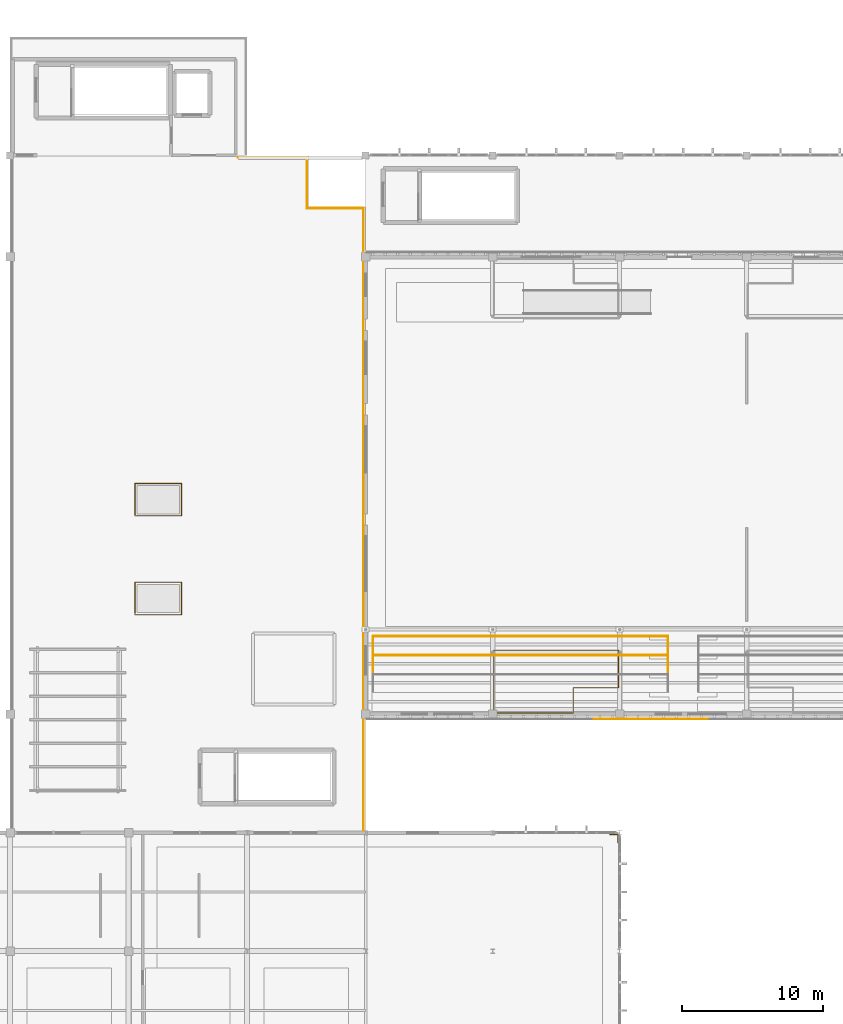
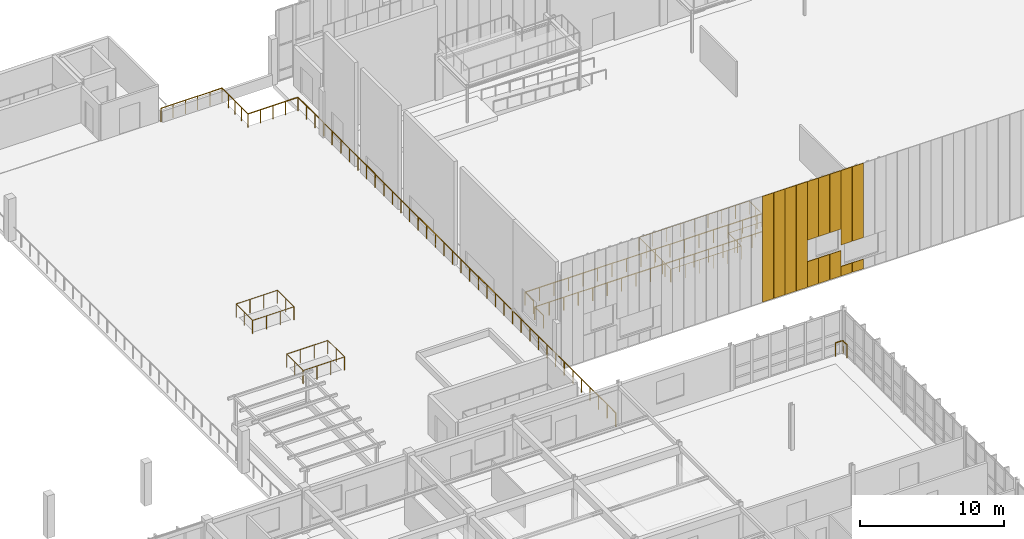
# One storey, part 62 of 67: 14 coverings, 7 railings.
"""IFC4 building model written with IfcOpenShell, lengths in metres."""

from ifc_helpers import new_model, si_unit, direction, frame, origin, origin_2d, place, context, subcontext, project, spatial, rectangle, circle, extrude, material, layer, layer_set, type_object, element, save


model = new_model("IFC4")

# Units and contexts
model_context = context("Model", 3, precision=1e-05, world=origin(), true_north=direction((0.0, 1.0)))
body_context = subcontext(model_context, "Body", "Model", "MODEL_VIEW")
ifc_project = project(units=[si_unit("LENGTHUNIT", "METRE"), si_unit("AREAUNIT", "SQUARE_METRE"), si_unit("VOLUMEUNIT", "CUBIC_METRE"), si_unit("PLANEANGLEUNIT", "RADIAN"), si_unit("MASSUNIT", "GRAM", prefix="KILO")], contexts=[model_context])

# Site, building, storey
site_placement = place(None, origin())
site = spatial("IfcSite", under=ifc_project, at=site_placement, CompositionType="ELEMENT")
building_placement = place(site_placement, origin())
building = spatial("IfcBuilding", under=site, at=building_placement, Name="Tizgana Railside Sports Hall", CompositionType="ELEMENT")
storey_placement = place(building_placement, frame((0.0, 0.0, 12.0)))
storey = spatial("IfcBuildingStorey", under=building, at=storey_placement, Name="L02", CompositionType="ELEMENT", Elevation=12.0)

# Coverings
ifc_material_1 = material(Name="Anodised perforated aluminium screen", Category="aluminium")
ifc_layer = layer(ifc_material_1, 0.044921875, Name="Anodised perforated aluminium screen")
ifc_layer_set = layer_set([ifc_layer], Name="Anodised perforated aluminium screen")
covering_type = type_object("IfcCoveringType", Name="Perforated Aluminium Hall Screen 900", PredefinedType="CLADDING", material=ifc_layer_set)
for number, where, z_axis, x_axis, name in (
    (1, (97.30029296875, 40.465087890625, 0.02001953125), (0.0, 0.0, 1.0), (-1.0, 0.0, 0.0), "L02 Perforated Screen SCR-0254"),
    (2, (96.40087890625, 40.465087890625, 0.02001953125), (0.0, 0.0, 1.0), (-1.0, 0.0, 0.0), "L02 Perforated Screen SCR-0255"),
):
    element("IfcCovering", number, at=place(storey_placement, frame(where, z_axis=z_axis, x_axis=x_axis)), inside=storey, type_object=covering_type, Name=name, PredefinedType="CLADDING", context=body_context, shape_type="SweptSolid", body=[
        extrude(rectangle(XDim=0.881591796875, YDim=0.044921875, at=origin_2d()), origin(), (0.0, 0.0, 1.0), 8.9599609375),
    ])
covering_1_placement = place(storey_placement, frame((103.601806640625, 40.465087890625, 0.030029296875), z_axis=(0.0, 0.0, 1.0), x_axis=(-1.0, 0.0, 0.0)))
element("IfcCovering", 3, at=covering_1_placement, inside=storey, type_object=covering_type, Name="L02 Perforated Spandrel SCR-0294", PredefinedType="CLADDING", context=body_context, shape_type="SweptSolid", body=[
    extrude(rectangle(XDim=0.881591796875, YDim=0.044921875, at=origin_2d()), origin(), (0.0, 0.0, 1.0), 0.81005859375),
])
covering_2_placement = place(storey_placement, frame((103.601806640625, 40.465087890625, 2.659912109375), z_axis=(0.0, 0.0, 1.0), x_axis=(-1.0, 0.0, 0.0)))
element("IfcCovering", 4, at=covering_2_placement, inside=storey, type_object=covering_type, Name="L02 Perforated Header SCR-0295", PredefinedType="CLADDING", context=body_context, shape_type="SweptSolid", body=[
    extrude(rectangle(XDim=0.881591796875, YDim=0.044921875, at=origin_2d()), origin(), (0.0, 0.0, 1.0), 6.31005859375),
])
covering_3_placement = place(storey_placement, frame((102.7021484375, 40.465087890625, 0.030029296875), z_axis=(0.0, 0.0, 1.0), x_axis=(-1.0, 0.0, 0.0)))
element("IfcCovering", 5, at=covering_3_placement, inside=storey, type_object=covering_type, Name="L02 Perforated Spandrel SCR-0296", PredefinedType="CLADDING", context=body_context, shape_type="SweptSolid", body=[
    extrude(rectangle(XDim=0.881591796875, YDim=0.044921875, at=origin_2d()), origin(), (0.0, 0.0, 1.0), 0.81005859375),
])
covering_4_placement = place(storey_placement, frame((102.7021484375, 40.465087890625, 2.659912109375), z_axis=(0.0, 0.0, 1.0), x_axis=(-1.0, 0.0, 0.0)))
element("IfcCovering", 6, at=covering_4_placement, inside=storey, type_object=covering_type, Name="L02 Perforated Header SCR-0297", PredefinedType="CLADDING", context=body_context, shape_type="SweptSolid", body=[
    extrude(rectangle(XDim=0.881591796875, YDim=0.044921875, at=origin_2d()), origin(), (0.0, 0.0, 1.0), 6.31005859375),
])
covering_5_placement = place(storey_placement, frame((101.802734375, 40.465087890625, 0.0302734375), z_axis=(0.0, 0.0, 1.0), x_axis=(-1.0, 0.0, 0.0)))
element("IfcCovering", 7, at=covering_5_placement, inside=storey, type_object=covering_type, Name="L02 Perforated Spandrel SCR-0298", PredefinedType="CLADDING", context=body_context, shape_type="SweptSolid", body=[
    extrude(rectangle(XDim=0.881591796875, YDim=0.044921875, at=origin_2d()), origin(), (0.0, 0.0, 1.0), 2.159912109375),
])
covering_6_placement = place(storey_placement, frame((101.802734375, 40.465087890625, 4.010009765625), z_axis=(0.0, 0.0, 1.0), x_axis=(-1.0, 0.0, 0.0)))
element("IfcCovering", 8, at=covering_6_placement, inside=storey, type_object=covering_type, Name="L02 Perforated Header SCR-0299", PredefinedType="CLADDING", context=body_context, shape_type="SweptSolid", body=[
    extrude(rectangle(XDim=0.881591796875, YDim=0.044921875, at=origin_2d()), origin(), (0.0, 0.0, 1.0), 4.9599609375),
])
covering_7_placement = place(storey_placement, frame((100.9033203125, 40.465087890625, 0.0302734375), z_axis=(0.0, 0.0, 1.0), x_axis=(-1.0, 0.0, 0.0)))
element("IfcCovering", 9, at=covering_7_placement, inside=storey, type_object=covering_type, Name="L02 Perforated Spandrel SCR-0300", PredefinedType="CLADDING", context=body_context, shape_type="SweptSolid", body=[
    extrude(rectangle(XDim=0.881591796875, YDim=0.044921875, at=origin_2d()), origin(), (0.0, 0.0, 1.0), 2.159912109375),
])
covering_8_placement = place(storey_placement, frame((100.9033203125, 40.465087890625, 4.010009765625), z_axis=(0.0, 0.0, 1.0), x_axis=(-1.0, 0.0, 0.0)))
element("IfcCovering", 10, at=covering_8_placement, inside=storey, type_object=covering_type, Name="L02 Perforated Header SCR-0301", PredefinedType="CLADDING", context=body_context, shape_type="SweptSolid", body=[
    extrude(rectangle(XDim=0.881591796875, YDim=0.044921875, at=origin_2d()), origin(), (0.0, 0.0, 1.0), 4.9599609375),
])
covering_9_placement = place(storey_placement, frame((100.003662109375, 40.465087890625, 0.0302734375), z_axis=(0.0, 0.0, 1.0), x_axis=(-1.0, 0.0, 0.0)))
element("IfcCovering", 11, at=covering_9_placement, inside=storey, type_object=covering_type, Name="L02 Perforated Spandrel SCR-0302", PredefinedType="CLADDING", context=body_context, shape_type="SweptSolid", body=[
    extrude(rectangle(XDim=0.881591796875, YDim=0.044921875, at=origin_2d()), origin(), (0.0, 0.0, 1.0), 2.159912109375),
])
covering_10_placement = place(storey_placement, frame((100.003662109375, 40.465087890625, 4.010009765625), z_axis=(0.0, 0.0, 1.0), x_axis=(-1.0, 0.0, 0.0)))
element("IfcCovering", 12, at=covering_10_placement, inside=storey, type_object=covering_type, Name="L02 Perforated Header SCR-0303", PredefinedType="CLADDING", context=body_context, shape_type="SweptSolid", body=[
    extrude(rectangle(XDim=0.881591796875, YDim=0.044921875, at=origin_2d()), origin(), (0.0, 0.0, 1.0), 4.9599609375),
])
for number, where, z_axis, x_axis, name in (
    (13, (99.104248046875, 40.465087890625, 0.02001953125), (0.0, 0.0, 1.0), (-1.0, 0.0, 0.0), "L02 Perforated Screen SCR-0304"),
    (14, (98.20458984375, 40.465087890625, 0.02001953125), (0.0, 0.0, 1.0), (-1.0, 0.0, 0.0), "L02 Perforated Screen SCR-0305"),
):
    element("IfcCovering", number, at=place(storey_placement, frame(where, z_axis=z_axis, x_axis=x_axis)), inside=storey, type_object=covering_type, Name=name, PredefinedType="CLADDING", context=body_context, shape_type="SweptSolid", body=[
        extrude(rectangle(XDim=0.881591796875, YDim=0.044921875, at=origin_2d()), origin(), (0.0, 0.0, 1.0), 8.9599609375),
    ])

# Railings
ifc_material_2 = material(Name="Galvanised steel sheet", Category="steel")
railing_type_1 = type_object("IfcRailingType", Name="Safety Balustrade Guard 1100", PredefinedType="BALUSTRADE", material=ifc_material_2)
railing_1_placement = place(storey_placement, frame((80.330078125, 43.780029296875, 1.260009765625)))
element("IfcRailing", 15, at=railing_1_placement, inside=storey, type_object=railing_type_1, Name="L02 Stand Guard SGD-0015", PredefinedType="BALUSTRADE", context=body_context, shape_type="SweptSolid", body=[
    extrude(circle(Radius=0.02392578125, at=origin_2d()), frame((0.0, 0.0, 1.09619140625), z_axis=(0.0, 1.0, 0.0), x_axis=(-1.0, 0.0, 0.0)), (0.0, 0.0, 1.0), 1.18994140625),
    extrude(circle(Radius=0.02392578125, at=origin_2d()), frame((0.0, 1.18994140625, 1.09619140625), z_axis=(1.0, 0.0, 0.0), x_axis=(0.0, 1.0, 0.0)), (0.0, 0.0, 1.0), 20.889892578125),
    extrude(circle(Radius=0.02392578125, at=origin_2d()), frame((20.889892578125, 1.18994140625, 1.09619140625), z_axis=(0.0, -1.0, 0.0), x_axis=(1.0, 0.0, 0.0)), (0.0, 0.0, 1.0), 1.18994140625),
    extrude(circle(Radius=0.02099609375, at=origin_2d()), origin(), (0.0, 0.0, 1.0), 1.072021484375),
    extrude(circle(Radius=0.02099609375, at=origin_2d()), frame((0.0, 1.18994140625, 0.0)), (0.0, 0.0, 1.0), 1.072021484375),
    extrude(circle(Radius=0.02099609375, at=origin_2d()), frame((1.16064453125, 1.18994140625, 0.0)), (0.0, 0.0, 1.0), 1.072021484375),
    extrude(circle(Radius=0.02099609375, at=origin_2d()), frame((2.321044921875, 1.18994140625, 0.0)), (0.0, 0.0, 1.0), 1.072021484375),
    extrude(circle(Radius=0.02099609375, at=origin_2d()), frame((3.481689453125, 1.18994140625, 0.0)), (0.0, 0.0, 1.0), 1.072021484375),
    extrude(circle(Radius=0.02099609375, at=origin_2d()), frame((4.64208984375, 1.18994140625, 0.0)), (0.0, 0.0, 1.0), 1.072021484375),
    extrude(circle(Radius=0.02099609375, at=origin_2d()), frame((5.802734375, 1.18994140625, 0.0)), (0.0, 0.0, 1.0), 1.072021484375),
    extrude(circle(Radius=0.02099609375, at=origin_2d()), frame((6.96337890625, 1.18994140625, 0.0)), (0.0, 0.0, 1.0), 1.072021484375),
    extrude(circle(Radius=0.02099609375, at=origin_2d()), frame((8.123779296875, 1.18994140625, 0.0)), (0.0, 0.0, 1.0), 1.072021484375),
    extrude(circle(Radius=0.02099609375, at=origin_2d()), frame((9.284423828125, 1.18994140625, 0.0)), (0.0, 0.0, 1.0), 1.072021484375),
    extrude(circle(Radius=0.02099609375, at=origin_2d()), frame((10.44482421875, 1.18994140625, 0.0)), (0.0, 0.0, 1.0), 1.072021484375),
    extrude(circle(Radius=0.02099609375, at=origin_2d()), frame((11.60546875, 1.18994140625, 0.0)), (0.0, 0.0, 1.0), 1.072021484375),
    extrude(circle(Radius=0.02099609375, at=origin_2d()), frame((12.76611328125, 1.18994140625, 0.0)), (0.0, 0.0, 1.0), 1.072021484375),
    extrude(circle(Radius=0.02099609375, at=origin_2d()), frame((13.926513671875, 1.18994140625, 0.0)), (0.0, 0.0, 1.0), 1.072021484375),
    extrude(circle(Radius=0.02099609375, at=origin_2d()), frame((15.087158203125, 1.18994140625, 0.0)), (0.0, 0.0, 1.0), 1.072021484375),
    extrude(circle(Radius=0.02099609375, at=origin_2d()), frame((16.247802734375, 1.18994140625, 0.0)), (0.0, 0.0, 1.0), 1.072021484375),
    extrude(circle(Radius=0.02099609375, at=origin_2d()), frame((17.408203125, 1.18994140625, 0.0)), (0.0, 0.0, 1.0), 1.072021484375),
    extrude(circle(Radius=0.02099609375, at=origin_2d()), frame((18.56884765625, 1.18994140625, 0.0)), (0.0, 0.0, 1.0), 1.072021484375),
    extrude(circle(Radius=0.02099609375, at=origin_2d()), frame((19.729248046875, 1.18994140625, 0.0)), (0.0, 0.0, 1.0), 1.072021484375),
    extrude(circle(Radius=0.02099609375, at=origin_2d()), frame((20.889892578125, 1.18994140625, 0.0)), (0.0, 0.0, 1.0), 1.072021484375),
    extrude(circle(Radius=0.02099609375, at=origin_2d()), frame((20.889892578125, 0.0, 0.0)), (0.0, 0.0, 1.0), 1.072021484375),
])
railing_2_placement = place(storey_placement, frame((80.330078125, 45.1298828125, 1.679931640625)))
element("IfcRailing", 16, at=railing_2_placement, inside=storey, type_object=railing_type_1, Name="L02 Stand Guard SGD-0017", PredefinedType="BALUSTRADE", context=body_context, shape_type="SweptSolid", body=[
    extrude(circle(Radius=0.02392578125, at=origin_2d()), frame((0.0, 0.0, 1.09619140625), z_axis=(0.0, 1.0, 0.0), x_axis=(-1.0, 0.0, 0.0)), (0.0, 0.0, 1.0), 1.190185546875),
    extrude(circle(Radius=0.02392578125, at=origin_2d()), frame((0.0, 1.190185546875, 1.09619140625), z_axis=(1.0, 0.0, 0.0), x_axis=(0.0, 1.0, 0.0)), (0.0, 0.0, 1.0), 20.889892578125),
    extrude(circle(Radius=0.02392578125, at=origin_2d()), frame((20.889892578125, 1.190185546875, 1.09619140625), z_axis=(0.0, -1.0, 0.0), x_axis=(1.0, 0.0, 0.0)), (0.0, 0.0, 1.0), 1.190185546875),
    extrude(circle(Radius=0.02099609375, at=origin_2d()), origin(), (0.0, 0.0, 1.0), 1.072021484375),
    extrude(circle(Radius=0.02099609375, at=origin_2d()), frame((0.0, 1.190185546875, 0.0)), (0.0, 0.0, 1.0), 1.072021484375),
    extrude(circle(Radius=0.02099609375, at=origin_2d()), frame((1.16064453125, 1.190185546875, 0.0)), (0.0, 0.0, 1.0), 1.072021484375),
    extrude(circle(Radius=0.02099609375, at=origin_2d()), frame((2.321044921875, 1.190185546875, 0.0)), (0.0, 0.0, 1.0), 1.072021484375),
    extrude(circle(Radius=0.02099609375, at=origin_2d()), frame((3.481689453125, 1.190185546875, 0.0)), (0.0, 0.0, 1.0), 1.072021484375),
    extrude(circle(Radius=0.02099609375, at=origin_2d()), frame((4.64208984375, 1.190185546875, 0.0)), (0.0, 0.0, 1.0), 1.072021484375),
    extrude(circle(Radius=0.02099609375, at=origin_2d()), frame((5.802734375, 1.190185546875, 0.0)), (0.0, 0.0, 1.0), 1.072021484375),
    extrude(circle(Radius=0.02099609375, at=origin_2d()), frame((6.96337890625, 1.190185546875, 0.0)), (0.0, 0.0, 1.0), 1.072021484375),
    extrude(circle(Radius=0.02099609375, at=origin_2d()), frame((8.123779296875, 1.190185546875, 0.0)), (0.0, 0.0, 1.0), 1.072021484375),
    extrude(circle(Radius=0.02099609375, at=origin_2d()), frame((9.284423828125, 1.190185546875, 0.0)), (0.0, 0.0, 1.0), 1.072021484375),
    extrude(circle(Radius=0.02099609375, at=origin_2d()), frame((10.44482421875, 1.190185546875, 0.0)), (0.0, 0.0, 1.0), 1.072021484375),
    extrude(circle(Radius=0.02099609375, at=origin_2d()), frame((11.60546875, 1.190185546875, 0.0)), (0.0, 0.0, 1.0), 1.072021484375),
    extrude(circle(Radius=0.02099609375, at=origin_2d()), frame((12.76611328125, 1.190185546875, 0.0)), (0.0, 0.0, 1.0), 1.072021484375),
    extrude(circle(Radius=0.02099609375, at=origin_2d()), frame((13.926513671875, 1.190185546875, 0.0)), (0.0, 0.0, 1.0), 1.072021484375),
    extrude(circle(Radius=0.02099609375, at=origin_2d()), frame((15.087158203125, 1.190185546875, 0.0)), (0.0, 0.0, 1.0), 1.072021484375),
    extrude(circle(Radius=0.02099609375, at=origin_2d()), frame((16.247802734375, 1.190185546875, 0.0)), (0.0, 0.0, 1.0), 1.072021484375),
    extrude(circle(Radius=0.02099609375, at=origin_2d()), frame((17.408203125, 1.190185546875, 0.0)), (0.0, 0.0, 1.0), 1.072021484375),
    extrude(circle(Radius=0.02099609375, at=origin_2d()), frame((18.56884765625, 1.190185546875, 0.0)), (0.0, 0.0, 1.0), 1.072021484375),
    extrude(circle(Radius=0.02099609375, at=origin_2d()), frame((19.729248046875, 1.190185546875, 0.0)), (0.0, 0.0, 1.0), 1.072021484375),
    extrude(circle(Radius=0.02099609375, at=origin_2d()), frame((20.889892578125, 1.190185546875, 0.0)), (0.0, 0.0, 1.0), 1.072021484375),
    extrude(circle(Radius=0.02099609375, at=origin_2d()), frame((20.889892578125, 0.0, 0.0)), (0.0, 0.0, 1.0), 1.072021484375),
])
ifc_material_3 = material(Name="Anodised aluminium", Category="aluminium")
railing_type_2 = type_object("IfcRailingType", Name="Terrace & Track Guard 1150", PredefinedType="BALUSTRADE", material=ifc_material_3)
railing_3_placement = place(storey_placement, frame((88.8798828125, 40.8798828125, 3.89990234375)))
element("IfcRailing", 17, at=railing_3_placement, inside=storey, type_object=railing_type_2, Name="L02 V2 Court3 Catwalk SW Guard", PredefinedType="BALUSTRADE", context=body_context, shape_type="SweptSolid", body=[
    extrude(circle(Radius=0.02392578125, at=origin_2d()), frame((0.0, 0.0, 1.1259765625), z_axis=(1.0, 0.0, 0.0), x_axis=(0.0, 1.0, 0.0)), (0.0, 0.0, 1.0), 5.64013671875),
    extrude(circle(Radius=0.02392578125, at=origin_2d()), frame((5.64013671875, 0.0, 1.1259765625), z_axis=(0.0, 1.0, 0.0), x_axis=(-1.0, 0.0, 0.0)), (0.0, 0.0, 1.0), 1.800048828125),
    extrude(circle(Radius=0.02392578125, at=origin_2d()), frame((5.64013671875, 1.800048828125, 1.1259765625), z_axis=(1.0, 0.0, 0.0), x_axis=(0.0, 1.0, 0.0)), (0.0, 0.0, 1.0), 3.199951171875),
    extrude(circle(Radius=0.02392578125, at=origin_2d()), frame((8.840087890625, 1.800048828125, 1.1259765625), z_axis=(0.0, 1.0, 0.0), x_axis=(-1.0, 0.0, 0.0)), (0.0, 0.0, 1.0), 2.64013671875),
    extrude(circle(Radius=0.02392578125, at=origin_2d()), frame((8.840087890625, 4.440185546875, 1.1259765625), z_axis=(-1.0, 0.0, 0.0), x_axis=(0.0, -1.0, 0.0)), (0.0, 0.0, 1.0), 8.840087890625),
    extrude(circle(Radius=0.02392578125, at=origin_2d()), frame((0.0, 4.440185546875, 1.1259765625), z_axis=(0.0, -1.0, 0.0), x_axis=(1.0, 0.0, 0.0)), (0.0, 0.0, 1.0), 4.360107421875),
    extrude(circle(Radius=0.02099609375, at=origin_2d()), origin(), (0.0, 0.0, 1.0), 1.101806640625),
    extrude(circle(Radius=0.02099609375, at=origin_2d()), frame((1.1279296875, 0.0, 0.0)), (0.0, 0.0, 1.0), 1.101806640625),
    extrude(circle(Radius=0.02099609375, at=origin_2d()), frame((2.256103515625, 0.0, 0.0)), (0.0, 0.0, 1.0), 1.101806640625),
    extrude(circle(Radius=0.02099609375, at=origin_2d()), frame((3.384033203125, 0.0, 0.0)), (0.0, 0.0, 1.0), 1.101806640625),
    extrude(circle(Radius=0.02099609375, at=origin_2d()), frame((4.51220703125, 0.0, 0.0)), (0.0, 0.0, 1.0), 1.101806640625),
    extrude(circle(Radius=0.02099609375, at=origin_2d()), frame((5.64013671875, 0.0, 0.0)), (0.0, 0.0, 1.0), 1.101806640625),
    extrude(circle(Radius=0.02099609375, at=origin_2d()), frame((5.64013671875, 0.89990234375, 0.0)), (0.0, 0.0, 1.0), 1.101806640625),
    extrude(circle(Radius=0.02099609375, at=origin_2d()), frame((5.64013671875, 1.800048828125, 0.0)), (0.0, 0.0, 1.0), 1.101806640625),
    extrude(circle(Radius=0.02099609375, at=origin_2d()), frame((6.706787109375, 1.800048828125, 0.0)), (0.0, 0.0, 1.0), 1.101806640625),
    extrude(circle(Radius=0.02099609375, at=origin_2d()), frame((7.7734375, 1.800048828125, 0.0)), (0.0, 0.0, 1.0), 1.101806640625),
    extrude(circle(Radius=0.02099609375, at=origin_2d()), frame((8.840087890625, 1.800048828125, 0.0)), (0.0, 0.0, 1.0), 1.101806640625),
    extrude(circle(Radius=0.02099609375, at=origin_2d()), frame((8.840087890625, 2.68017578125, 0.0)), (0.0, 0.0, 1.0), 1.101806640625),
    extrude(circle(Radius=0.02099609375, at=origin_2d()), frame((8.840087890625, 3.56005859375, 0.0)), (0.0, 0.0, 1.0), 1.101806640625),
    extrude(circle(Radius=0.02099609375, at=origin_2d()), frame((8.840087890625, 4.440185546875, 0.0)), (0.0, 0.0, 1.0), 1.101806640625),
    extrude(circle(Radius=0.02099609375, at=origin_2d()), frame((7.735107421875, 4.440185546875, 0.0)), (0.0, 0.0, 1.0), 1.101806640625),
    extrude(circle(Radius=0.02099609375, at=origin_2d()), frame((6.630126953125, 4.440185546875, 0.0)), (0.0, 0.0, 1.0), 1.101806640625),
    extrude(circle(Radius=0.02099609375, at=origin_2d()), frame((5.525146484375, 4.440185546875, 0.0)), (0.0, 0.0, 1.0), 1.101806640625),
    extrude(circle(Radius=0.02099609375, at=origin_2d()), frame((4.419921875, 4.440185546875, 0.0)), (0.0, 0.0, 1.0), 1.101806640625),
    extrude(circle(Radius=0.02099609375, at=origin_2d()), frame((3.31494140625, 4.440185546875, 0.0)), (0.0, 0.0, 1.0), 1.101806640625),
    extrude(circle(Radius=0.02099609375, at=origin_2d()), frame((2.2099609375, 4.440185546875, 0.0)), (0.0, 0.0, 1.0), 1.101806640625),
    extrude(circle(Radius=0.02099609375, at=origin_2d()), frame((1.10498046875, 4.440185546875, 0.0)), (0.0, 0.0, 1.0), 1.101806640625),
    extrude(circle(Radius=0.02099609375, at=origin_2d()), frame((0.0, 4.440185546875, 0.0)), (0.0, 0.0, 1.0), 1.101806640625),
    extrude(circle(Radius=0.02099609375, at=origin_2d()), frame((0.0, 3.35009765625, 0.0)), (0.0, 0.0, 1.0), 1.101806640625),
    extrude(circle(Radius=0.02099609375, at=origin_2d()), frame((0.0, 2.26025390625, 0.0)), (0.0, 0.0, 1.0), 1.101806640625),
    extrude(circle(Radius=0.02099609375, at=origin_2d()), frame((0.0, 1.170166015625, 0.0)), (0.0, 0.0, 1.0), 1.101806640625),
    extrude(circle(Radius=0.02099609375, at=origin_2d()), frame((0.0, 0.080078125, 0.0)), (0.0, 0.0, 1.0), 1.101806640625),
])
railing_4_placement = place(storey_placement, frame((70.75, 80.25, 0.0)))
element("IfcRailing", 18, at=railing_4_placement, inside=storey, type_object=railing_type_2, Name="L02 Safety Guard GRD-0002", PredefinedType="BALUSTRADE", context=body_context, shape_type="SweptSolid", body=[
    extrude(circle(Radius=0.02392578125, at=origin_2d()), frame((0.0, 0.0, 1.1259765625), z_axis=(1.0, 0.0, 0.0), x_axis=(0.0, 1.0, 0.0)), (0.0, 0.0, 1.0), 4.89990234375),
    extrude(circle(Radius=0.02392578125, at=origin_2d()), frame((4.89990234375, 0.0, 1.1259765625), z_axis=(0.0, -1.0, 0.0), x_axis=(1.0, 0.0, 0.0)), (0.0, 0.0, 1.0), 3.60009765625),
    extrude(circle(Radius=0.02392578125, at=origin_2d()), frame((4.89990234375, -3.60009765625, 1.1259765625), z_axis=(1.0, 0.0, 0.0), x_axis=(0.0, 1.0, 0.0)), (0.0, 0.0, 1.0), 4.0),
    extrude(circle(Radius=0.02392578125, at=origin_2d()), frame((8.89990234375, -3.60009765625, 1.1259765625), z_axis=(0.0, -1.0, 0.0), x_axis=(1.0, 0.0, 0.0)), (0.0, 0.0, 1.0), 44.099853515625),
    extrude(circle(Radius=0.02099609375, at=origin_2d()), origin(), (0.0, 0.0, 1.0), 1.101806640625),
    extrude(circle(Radius=0.02099609375, at=origin_2d()), frame((0.97998046875, 0.0, 0.0)), (0.0, 0.0, 1.0), 1.101806640625),
    extrude(circle(Radius=0.02099609375, at=origin_2d()), frame((1.9599609375, 0.0, 0.0)), (0.0, 0.0, 1.0), 1.101806640625),
    extrude(circle(Radius=0.02099609375, at=origin_2d()), frame((2.93994140625, 0.0, 0.0)), (0.0, 0.0, 1.0), 1.101806640625),
    extrude(circle(Radius=0.02099609375, at=origin_2d()), frame((3.919921875, 0.0, 0.0)), (0.0, 0.0, 1.0), 1.101806640625),
    extrude(circle(Radius=0.02099609375, at=origin_2d()), frame((4.89990234375, 0.0, 0.0)), (0.0, 0.0, 1.0), 1.101806640625),
    extrude(circle(Radius=0.02099609375, at=origin_2d()), frame((4.89990234375, -0.89990234375, 0.0)), (0.0, 0.0, 1.0), 1.101806640625),
    extrude(circle(Radius=0.02099609375, at=origin_2d()), frame((4.89990234375, -1.800048828125, 0.0)), (0.0, 0.0, 1.0), 1.101806640625),
    extrude(circle(Radius=0.02099609375, at=origin_2d()), frame((4.89990234375, -2.7001953125, 0.0)), (0.0, 0.0, 1.0), 1.101806640625),
    extrude(circle(Radius=0.02099609375, at=origin_2d()), frame((4.89990234375, -3.60009765625, 0.0)), (0.0, 0.0, 1.0), 1.101806640625),
    extrude(circle(Radius=0.02099609375, at=origin_2d()), frame((5.89990234375, -3.60009765625, 0.0)), (0.0, 0.0, 1.0), 1.101806640625),
    extrude(circle(Radius=0.02099609375, at=origin_2d()), frame((6.89990234375, -3.60009765625, 0.0)), (0.0, 0.0, 1.0), 1.101806640625),
    extrude(circle(Radius=0.02099609375, at=origin_2d()), frame((7.89990234375, -3.60009765625, 0.0)), (0.0, 0.0, 1.0), 1.101806640625),
    extrude(circle(Radius=0.02099609375, at=origin_2d()), frame((8.89990234375, -3.60009765625, 0.0)), (0.0, 0.0, 1.0), 1.101806640625),
    extrude(circle(Radius=0.02099609375, at=origin_2d()), frame((8.89990234375, -4.7919921875, 0.0)), (0.0, 0.0, 1.0), 1.101806640625),
    extrude(circle(Radius=0.02099609375, at=origin_2d()), frame((8.89990234375, -5.98388671875, 0.0)), (0.0, 0.0, 1.0), 1.101806640625),
    extrude(circle(Radius=0.02099609375, at=origin_2d()), frame((8.89990234375, -7.17578125, 0.0)), (0.0, 0.0, 1.0), 1.101806640625),
    extrude(circle(Radius=0.02099609375, at=origin_2d()), frame((8.89990234375, -8.36767578125, 0.0)), (0.0, 0.0, 1.0), 1.101806640625),
    extrude(circle(Radius=0.02099609375, at=origin_2d()), frame((8.89990234375, -9.5595703125, 0.0)), (0.0, 0.0, 1.0), 1.101806640625),
    extrude(circle(Radius=0.02099609375, at=origin_2d()), frame((8.89990234375, -10.75146484375, 0.0)), (0.0, 0.0, 1.0), 1.101806640625),
    extrude(circle(Radius=0.02099609375, at=origin_2d()), frame((8.89990234375, -11.943359375, 0.0)), (0.0, 0.0, 1.0), 1.101806640625),
    extrude(circle(Radius=0.02099609375, at=origin_2d()), frame((8.89990234375, -13.13525390625, 0.0)), (0.0, 0.0, 1.0), 1.101806640625),
    extrude(circle(Radius=0.02099609375, at=origin_2d()), frame((8.89990234375, -14.3271484375, 0.0)), (0.0, 0.0, 1.0), 1.101806640625),
    extrude(circle(Radius=0.02099609375, at=origin_2d()), frame((8.89990234375, -15.51904296875, 0.0)), (0.0, 0.0, 1.0), 1.101806640625),
    extrude(circle(Radius=0.02099609375, at=origin_2d()), frame((8.89990234375, -16.7109375, 0.0)), (0.0, 0.0, 1.0), 1.101806640625),
    extrude(circle(Radius=0.02099609375, at=origin_2d()), frame((8.89990234375, -17.90283203125, 0.0)), (0.0, 0.0, 1.0), 1.101806640625),
    extrude(circle(Radius=0.02099609375, at=origin_2d()), frame((8.89990234375, -19.0947265625, 0.0)), (0.0, 0.0, 1.0), 1.101806640625),
    extrude(circle(Radius=0.02099609375, at=origin_2d()), frame((8.89990234375, -20.28662109375, 0.0)), (0.0, 0.0, 1.0), 1.101806640625),
    extrude(circle(Radius=0.02099609375, at=origin_2d()), frame((8.89990234375, -21.478515625, 0.0)), (0.0, 0.0, 1.0), 1.101806640625),
    extrude(circle(Radius=0.02099609375, at=origin_2d()), frame((8.89990234375, -22.67041015625, 0.0)), (0.0, 0.0, 1.0), 1.101806640625),
    extrude(circle(Radius=0.02099609375, at=origin_2d()), frame((8.89990234375, -23.8623046875, 0.0)), (0.0, 0.0, 1.0), 1.101806640625),
    extrude(circle(Radius=0.02099609375, at=origin_2d()), frame((8.89990234375, -25.05419921875, 0.0)), (0.0, 0.0, 1.0), 1.101806640625),
    extrude(circle(Radius=0.02099609375, at=origin_2d()), frame((8.89990234375, -26.245849609375, 0.0)), (0.0, 0.0, 1.0), 1.101806640625),
    extrude(circle(Radius=0.02099609375, at=origin_2d()), frame((8.89990234375, -27.437744140625, 0.0)), (0.0, 0.0, 1.0), 1.101806640625),
    extrude(circle(Radius=0.02099609375, at=origin_2d()), frame((8.89990234375, -28.629638671875, 0.0)), (0.0, 0.0, 1.0), 1.101806640625),
    extrude(circle(Radius=0.02099609375, at=origin_2d()), frame((8.89990234375, -29.821533203125, 0.0)), (0.0, 0.0, 1.0), 1.101806640625),
    extrude(circle(Radius=0.02099609375, at=origin_2d()), frame((8.89990234375, -31.013427734375, 0.0)), (0.0, 0.0, 1.0), 1.101806640625),
    extrude(circle(Radius=0.02099609375, at=origin_2d()), frame((8.89990234375, -32.205322265625, 0.0)), (0.0, 0.0, 1.0), 1.101806640625),
    extrude(circle(Radius=0.02099609375, at=origin_2d()), frame((8.89990234375, -33.397216796875, 0.0)), (0.0, 0.0, 1.0), 1.101806640625),
    extrude(circle(Radius=0.02099609375, at=origin_2d()), frame((8.89990234375, -34.589111328125, 0.0)), (0.0, 0.0, 1.0), 1.101806640625),
    extrude(circle(Radius=0.02099609375, at=origin_2d()), frame((8.89990234375, -35.781005859375, 0.0)), (0.0, 0.0, 1.0), 1.101806640625),
    extrude(circle(Radius=0.02099609375, at=origin_2d()), frame((8.89990234375, -36.972900390625, 0.0)), (0.0, 0.0, 1.0), 1.101806640625),
    extrude(circle(Radius=0.02099609375, at=origin_2d()), frame((8.89990234375, -38.164794921875, 0.0)), (0.0, 0.0, 1.0), 1.101806640625),
    extrude(circle(Radius=0.02099609375, at=origin_2d()), frame((8.89990234375, -39.356689453125, 0.0)), (0.0, 0.0, 1.0), 1.101806640625),
    extrude(circle(Radius=0.02099609375, at=origin_2d()), frame((8.89990234375, -40.548583984375, 0.0)), (0.0, 0.0, 1.0), 1.101806640625),
    extrude(circle(Radius=0.02099609375, at=origin_2d()), frame((8.89990234375, -41.740478515625, 0.0)), (0.0, 0.0, 1.0), 1.101806640625),
    extrude(circle(Radius=0.02099609375, at=origin_2d()), frame((8.89990234375, -42.932373046875, 0.0)), (0.0, 0.0, 1.0), 1.101806640625),
    extrude(circle(Radius=0.02099609375, at=origin_2d()), frame((8.89990234375, -44.124267578125, 0.0)), (0.0, 0.0, 1.0), 1.101806640625),
    extrude(circle(Radius=0.02099609375, at=origin_2d()), frame((8.89990234375, -45.316162109375, 0.0)), (0.0, 0.0, 1.0), 1.101806640625),
    extrude(circle(Radius=0.02099609375, at=origin_2d()), frame((8.89990234375, -46.508056640625, 0.0)), (0.0, 0.0, 1.0), 1.101806640625),
    extrude(circle(Radius=0.02099609375, at=origin_2d()), frame((8.89990234375, -47.699951171875, 0.0)), (0.0, 0.0, 1.0), 1.101806640625),
])
railing_5_placement = place(storey_placement, frame((63.449951171875, 47.85009765625, 0.0)))
element("IfcRailing", 19, at=railing_5_placement, inside=storey, type_object=railing_type_2, Name="L02 Safety Guard GRD-0003", PredefinedType="BALUSTRADE", context=body_context, shape_type="SweptSolid", body=[
    extrude(circle(Radius=0.02392578125, at=origin_2d()), frame((0.0, 0.0, 1.1259765625), z_axis=(1.0, 0.0, 0.0), x_axis=(0.0, 1.0, 0.0)), (0.0, 0.0, 1.0), 3.300048828125),
    extrude(circle(Radius=0.02392578125, at=origin_2d()), frame((3.300048828125, 0.0, 1.1259765625), z_axis=(0.0, 1.0, 0.0), x_axis=(-1.0, 0.0, 0.0)), (0.0, 0.0, 1.0), 2.2998046875),
    extrude(circle(Radius=0.02392578125, at=origin_2d()), frame((3.300048828125, 2.2998046875, 1.1259765625), z_axis=(-1.0, 0.0, 0.0), x_axis=(0.0, -1.0, 0.0)), (0.0, 0.0, 1.0), 3.300048828125),
    extrude(circle(Radius=0.02392578125, at=origin_2d()), frame((0.0, 2.2998046875, 1.1259765625), z_axis=(0.0, -1.0, 0.0), x_axis=(1.0, 0.0, 0.0)), (0.0, 0.0, 1.0), 2.219970703125),
    extrude(circle(Radius=0.02099609375, at=origin_2d()), origin(), (0.0, 0.0, 1.0), 1.101806640625),
    extrude(circle(Radius=0.02099609375, at=origin_2d()), frame((1.10009765625, 0.0, 0.0)), (0.0, 0.0, 1.0), 1.101806640625),
    extrude(circle(Radius=0.02099609375, at=origin_2d()), frame((2.199951171875, 0.0, 0.0)), (0.0, 0.0, 1.0), 1.101806640625),
    extrude(circle(Radius=0.02099609375, at=origin_2d()), frame((3.300048828125, 0.0, 0.0)), (0.0, 0.0, 1.0), 1.101806640625),
    extrude(circle(Radius=0.02099609375, at=origin_2d()), frame((3.300048828125, 1.14990234375, 0.0)), (0.0, 0.0, 1.0), 1.101806640625),
    extrude(circle(Radius=0.02099609375, at=origin_2d()), frame((3.300048828125, 2.2998046875, 0.0)), (0.0, 0.0, 1.0), 1.101806640625),
    extrude(circle(Radius=0.02099609375, at=origin_2d()), frame((2.199951171875, 2.2998046875, 0.0)), (0.0, 0.0, 1.0), 1.101806640625),
    extrude(circle(Radius=0.02099609375, at=origin_2d()), frame((1.10009765625, 2.2998046875, 0.0)), (0.0, 0.0, 1.0), 1.101806640625),
    extrude(circle(Radius=0.02099609375, at=origin_2d()), frame((0.0, 2.2998046875, 0.0)), (0.0, 0.0, 1.0), 1.101806640625),
    extrude(circle(Radius=0.02099609375, at=origin_2d()), frame((0.0, 1.18994140625, 0.0)), (0.0, 0.0, 1.0), 1.101806640625),
    extrude(circle(Radius=0.02099609375, at=origin_2d()), frame((0.0, 0.079833984375, 0.0)), (0.0, 0.0, 1.0), 1.101806640625),
])
railing_6_placement = place(storey_placement, frame((63.449951171875, 54.85009765625, 0.0)))
element("IfcRailing", 20, at=railing_6_placement, inside=storey, type_object=railing_type_2, Name="L02 Safety Guard GRD-0004", PredefinedType="BALUSTRADE", context=body_context, shape_type="SweptSolid", body=[
    extrude(circle(Radius=0.02392578125, at=origin_2d()), frame((0.0, 0.0, 1.1259765625), z_axis=(1.0, 0.0, 0.0), x_axis=(0.0, 1.0, 0.0)), (0.0, 0.0, 1.0), 3.300048828125),
    extrude(circle(Radius=0.02392578125, at=origin_2d()), frame((3.300048828125, 0.0, 1.1259765625), z_axis=(0.0, 1.0, 0.0), x_axis=(-1.0, 0.0, 0.0)), (0.0, 0.0, 1.0), 2.2998046875),
    extrude(circle(Radius=0.02392578125, at=origin_2d()), frame((3.300048828125, 2.2998046875, 1.1259765625), z_axis=(-1.0, 0.0, 0.0), x_axis=(0.0, -1.0, 0.0)), (0.0, 0.0, 1.0), 3.300048828125),
    extrude(circle(Radius=0.02392578125, at=origin_2d()), frame((0.0, 2.2998046875, 1.1259765625), z_axis=(0.0, -1.0, 0.0), x_axis=(1.0, 0.0, 0.0)), (0.0, 0.0, 1.0), 2.219970703125),
    extrude(circle(Radius=0.02099609375, at=origin_2d()), origin(), (0.0, 0.0, 1.0), 1.101806640625),
    extrude(circle(Radius=0.02099609375, at=origin_2d()), frame((1.10009765625, 0.0, 0.0)), (0.0, 0.0, 1.0), 1.101806640625),
    extrude(circle(Radius=0.02099609375, at=origin_2d()), frame((2.199951171875, 0.0, 0.0)), (0.0, 0.0, 1.0), 1.101806640625),
    extrude(circle(Radius=0.02099609375, at=origin_2d()), frame((3.300048828125, 0.0, 0.0)), (0.0, 0.0, 1.0), 1.101806640625),
    extrude(circle(Radius=0.02099609375, at=origin_2d()), frame((3.300048828125, 1.14990234375, 0.0)), (0.0, 0.0, 1.0), 1.101806640625),
    extrude(circle(Radius=0.02099609375, at=origin_2d()), frame((3.300048828125, 2.2998046875, 0.0)), (0.0, 0.0, 1.0), 1.101806640625),
    extrude(circle(Radius=0.02099609375, at=origin_2d()), frame((2.199951171875, 2.2998046875, 0.0)), (0.0, 0.0, 1.0), 1.101806640625),
    extrude(circle(Radius=0.02099609375, at=origin_2d()), frame((1.10009765625, 2.2998046875, 0.0)), (0.0, 0.0, 1.0), 1.101806640625),
    extrude(circle(Radius=0.02099609375, at=origin_2d()), frame((0.0, 2.2998046875, 0.0)), (0.0, 0.0, 1.0), 1.101806640625),
    extrude(circle(Radius=0.02099609375, at=origin_2d()), frame((0.0, 1.18994140625, 0.0)), (0.0, 0.0, 1.0), 1.101806640625),
    extrude(circle(Radius=0.02099609375, at=origin_2d()), frame((0.0, 0.079833984375, 0.0)), (0.0, 0.0, 1.0), 1.101806640625),
])
railing_7_placement = place(storey_placement, frame((97.679931640625, 31.699951171875, 0.0)))
element("IfcRailing", 21, at=railing_7_placement, inside=storey, type_object=railing_type_2, Name="L02 Safety Guard GRD-0007", PredefinedType="BALUSTRADE", context=body_context, shape_type="SweptSolid", body=[
    extrude(circle(Radius=0.02392578125, at=origin_2d()), frame((0.0, 0.0, 1.1259765625), z_axis=(0.0, 1.0, 0.0), x_axis=(-1.0, 0.0, 0.0)), (0.0, 0.0, 1.0), 0.580078125),
    extrude(circle(Radius=0.02392578125, at=origin_2d()), frame((0.0, 0.580078125, 1.1259765625), z_axis=(-1.0, 0.0, 0.0), x_axis=(0.0, -1.0, 0.0)), (0.0, 0.0, 1.0), 0.579833984375),
    extrude(circle(Radius=0.02099609375, at=origin_2d()), origin(), (0.0, 0.0, 1.0), 1.101806640625),
    extrude(circle(Radius=0.02099609375, at=origin_2d()), frame((0.0, 0.580078125, 0.0)), (0.0, 0.0, 1.0), 1.101806640625),
    extrude(circle(Radius=0.02099609375, at=origin_2d()), frame((-0.579833984375, 0.580078125, 0.0)), (0.0, 0.0, 1.0), 1.101806640625),
])

save(model, "model.ifc")
